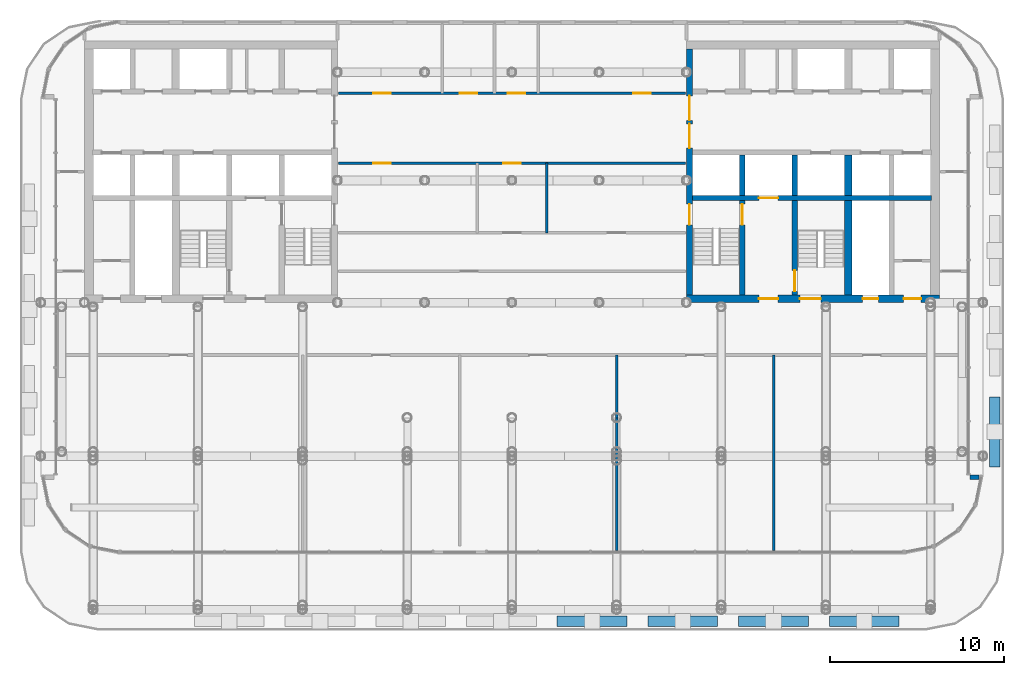
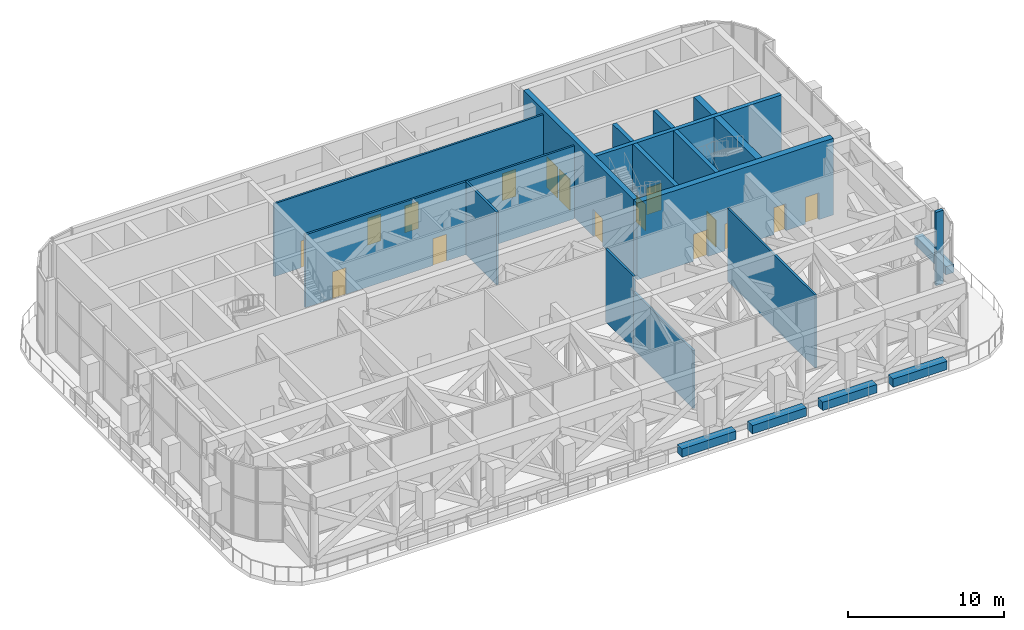
# One storey, part 13 of 20: 21 walls, 16 doors, 16 openings.
"""IFC4 building model written with IfcOpenShell, lengths in metres."""

from ifc_helpers import new_model, si_unit, direction, frame, frame_2d, origin, place, context, subcontext, project, spatial, rectangle, extrude, material, layer, layer_set, type_object, element, fill, save


model = new_model("IFC4")

# Units and contexts
model_context = context("Model", 3, precision=1e-05, world=origin(), true_north=direction((0.0, 1.0)))
body_context = subcontext(model_context, "Body", "Model", "MODEL_VIEW")
ifc_project = project(units=[si_unit("LENGTHUNIT", "METRE"), si_unit("AREAUNIT", "SQUARE_METRE"), si_unit("VOLUMEUNIT", "CUBIC_METRE"), si_unit("PLANEANGLEUNIT", "RADIAN"), si_unit("MASSUNIT", "GRAM", prefix="KILO")], contexts=[model_context])

# Site, building, storey
site_placement = place(None, origin())
site = spatial("IfcSite", under=ifc_project, at=site_placement, CompositionType="ELEMENT")
building_placement = place(site_placement, origin())
building = spatial("IfcBuilding", under=site, at=building_placement, Name="Torana Hotel and Residences", CompositionType="ELEMENT")
storey_placement = place(building_placement, frame((0.0, 0.0, 177.60009765625)))
storey = spatial("IfcBuildingStorey", under=building, at=storey_placement, Name="L46", CompositionType="ELEMENT", Elevation=177.60009765625)

# Wall, opening, door
ifc_material_1 = material(Name="Concrete C70/85", Category="concrete")
ifc_layer_1 = layer(ifc_material_1, 0.300048828125)
ifc_layer_set_1 = layer_set([ifc_layer_1], Name="CORE WALL 300 C70/85")
wall_type_1 = type_object("IfcWallType", Name="CORE WALL 300 C70/85", PredefinedType="SHEAR", material=ifc_layer_set_1)
wall_1_placement = place(storey_placement, frame((10.35009765625, -9.0, 0.0), z_axis=(0.0, 0.0, 1.0), x_axis=(1.0, 0.0, 0.0)))
wall_1 = element("IfcWall", 1, at=wall_1_placement, inside=storey, type_object=wall_type_1, Name="Core wall E band", PredefinedType="SHEAR", context=body_context, shape_type="SweptSolid", body=[
    extrude(rectangle(XDim=13.699951171875, YDim=0.300048828125, at=frame_2d((6.85009765625, 0.0))), origin(), (0.0, 0.0, 1.0), 6.0),
])
opening_1_placement = place(wall_1_placement, frame((3.800048828125, 0.0, 0.0)))
opening_1 = element("IfcOpeningElement", 2, at=opening_1_placement, cuts=wall_1, Name="Opening LD", PredefinedType="OPENING", context=body_context, shape_type="SweptSolid", body=[
    extrude(rectangle(XDim=1.10009765625, YDim=2.10009765625, at=frame_2d((0.550048828125, 1.050048828125))), frame((0.0, 0.159912109375, 0.0), z_axis=(0.0, -1.0, 0.0), x_axis=(1.0, 0.0, 0.0)), (0.0, 0.0, 1.0), 0.320068359375),
])
ifc_material_2 = material(Name="Stainless steel 316", Category="steel")
door_type_1 = type_object("IfcDoorType", Name="LIFT LANDING DOOR LD 1100x2100", OperationType="DOUBLE_DOOR_SLIDING", PredefinedType="USERDEFINED", material=ifc_material_2)
door_1_placement = place(opening_1_placement, origin())
door_1 = element("IfcDoor", 3, at=door_1_placement, inside=storey, type_object=door_type_1, Name="Lift landing door FF2 L46", ObjectType="LIFT LANDING DOOR", OperationType="DOUBLE_DOOR_SLIDING", OverallHeight=2.10009765625, OverallWidth=1.10009765625, PredefinedType="USERDEFINED", context=body_context, shape_type="SweptSolid", body=[
    extrude(rectangle(XDim=1.10009765625, YDim=2.10009765625, at=frame_2d((0.550048828125, 1.050048828125))), frame((0.0, 0.02490234375, 0.0), z_axis=(0.0, -1.0, 0.0), x_axis=(1.0, 0.0, 0.0)), (0.0, 0.0, 1.0), 0.050048828125),
])
fill(opening_1, door_1)

# Wall
wall_2_placement = place(storey_placement, frame((13.199951171875, -8.85009765625, 0.0), z_axis=(0.0, 0.0, 1.0), x_axis=(0.0, 1.0, 0.0)))
element("IfcWall", 4, at=wall_2_placement, inside=storey, type_object=wall_type_1, Name="Core wall E x3.05-S", PredefinedType="SHEAR", context=body_context, shape_type="SweptSolid", body=[
    extrude(rectangle(XDim=2.300048828125, YDim=0.300048828125, at=frame_2d((1.14990234375, 0.0))), origin(), (0.0, 0.0, 1.0), 6.0),
])

# Wall, opening, door
wall_3_placement = place(storey_placement, frame((13.199951171875, -14.550048828125, 0.0), z_axis=(0.0, 0.0, 1.0), x_axis=(0.0, 1.0, 0.0)))
wall_3 = element("IfcWall", 5, at=wall_3_placement, inside=storey, type_object=wall_type_1, Name="Core wall E x3.05-band", PredefinedType="SHEAR", context=body_context, shape_type="SweptSolid", body=[
    extrude(rectangle(XDim=5.400146484375, YDim=0.300048828125, at=frame_2d((2.7001953125, 0.0))), origin(), (0.0, 0.0, 1.0), 6.0),
])
opening_2_placement = place(wall_3_placement, frame((4.0, 0.0, 0.0)))
opening_2 = element("IfcOpeningElement", 6, at=opening_2_placement, cuts=wall_3, Name="Opening L46-27", PredefinedType="OPENING", context=body_context, shape_type="SweptSolid", body=[
    extrude(rectangle(XDim=1.199951171875, YDim=2.10009765625, at=frame_2d((0.60009765625, 1.050048828125))), frame((0.0, 0.159912109375, 0.0), z_axis=(0.0, -1.0, 0.0), x_axis=(1.0, 0.0, 0.0)), (0.0, 0.0, 1.0), 0.320068359375),
])
ifc_material_3 = material(Name="Steel S235", Category="steel")
door_type_2 = type_object("IfcDoorType", Name="STAIR FIRE DOOR D3 1200x2100", OperationType="SINGLE_SWING_LEFT", PredefinedType="DOOR", material=ifc_material_3)
door_2_placement = place(opening_2_placement, origin())
door_2 = element("IfcDoor", 7, at=door_2_placement, inside=storey, type_object=door_type_2, Name="Stair-A-lobby door L46", OperationType="SINGLE_SWING_LEFT", OverallHeight=2.10009765625, OverallWidth=1.199951171875, PredefinedType="DOOR", context=body_context, shape_type="SweptSolid", body=[
    extrude(rectangle(XDim=1.199951171875, YDim=2.10009765625, at=frame_2d((0.60009765625, 1.050048828125))), frame((0.0, 0.02490234375, 0.0), z_axis=(0.0, -1.0, 0.0), x_axis=(1.0, 0.0, 0.0)), (0.0, 0.0, 1.0), 0.050048828125),
])
fill(opening_2, door_2)

# Wall
wall_4_placement = place(storey_placement, frame((16.199951171875, -8.85009765625, 0.0), z_axis=(0.0, 0.0, 1.0), x_axis=(0.0, 1.0, 0.0)))
element("IfcWall", 8, at=wall_4_placement, inside=storey, type_object=wall_type_1, Name="Core wall E x6.05-S", PredefinedType="SHEAR", context=body_context, shape_type="SweptSolid", body=[
    extrude(rectangle(XDim=2.300048828125, YDim=0.300048828125, at=frame_2d((1.14990234375, 0.0))), origin(), (0.0, 0.0, 1.0), 6.0),
])

# Wall, opening, door
wall_5_placement = place(storey_placement, frame((16.199951171875, -14.550048828125, 0.0), z_axis=(0.0, 0.0, 1.0), x_axis=(0.0, 1.0, 0.0)))
wall_5 = element("IfcWall", 9, at=wall_5_placement, inside=storey, type_object=wall_type_1, Name="Core wall E x6.05-band", PredefinedType="SHEAR", context=body_context, shape_type="SweptSolid", body=[
    extrude(rectangle(XDim=5.400146484375, YDim=0.300048828125, at=frame_2d((2.7001953125, 0.0))), origin(), (0.0, 0.0, 1.0), 6.0),
])
opening_3_placement = place(wall_5_placement, frame((0.199951171875, 0.0, 0.0)))
opening_3 = element("IfcOpeningElement", 10, at=opening_3_placement, cuts=wall_5, Name="Opening L46-28", PredefinedType="OPENING", context=body_context, shape_type="SweptSolid", body=[
    extrude(rectangle(XDim=1.199951171875, YDim=2.10009765625, at=frame_2d((0.60009765625, 1.050048828125))), frame((0.0, 0.159912109375, 0.0), z_axis=(0.0, -1.0, 0.0), x_axis=(1.0, 0.0, 0.0)), (0.0, 0.0, 1.0), 0.320068359375),
])
door_3_placement = place(opening_3_placement, frame((0.60009765625, 0.0, 0.0), z_axis=(0.0, 0.0, 1.0), x_axis=(-1.0, 0.0, 0.0)))
door_3 = element("IfcDoor", 11, at=door_3_placement, inside=storey, type_object=door_type_2, Name="Stair-B-lobby door L46", OperationType="SINGLE_SWING_LEFT", OverallHeight=2.10009765625, OverallWidth=1.199951171875, PredefinedType="DOOR", context=body_context, shape_type="SweptSolid", body=[
    extrude(rectangle(XDim=1.199951171875, YDim=2.10009765625, at=frame_2d((0.0, 1.050048828125))), frame((0.0, -0.02490234375, 0.0), z_axis=(0.0, 1.0, 0.0), x_axis=(-1.0, 0.0, 0.0)), (0.0, 0.0, 1.0), 0.050048828125),
])
fill(opening_3, door_3)

# Wall, openings, doors
ifc_material_4 = material(Name="Concrete C70/85", Category="concrete")
ifc_layer_2 = layer(ifc_material_4, 0.35009765625)
ifc_layer_set_2 = layer_set([ifc_layer_2], Name="CORE WALL 350 C70/85")
wall_type_2 = type_object("IfcWallType", Name="CORE WALL 350 C70/85", PredefinedType="SHEAR", material=ifc_layer_set_2)
wall_6_placement = place(storey_placement, frame((10.175048828125, -14.550048828125, 0.0), z_axis=(0.0, 0.0, 1.0), x_axis=(0.0, 1.0, 0.0)))
wall_6 = element("IfcWall", 12, at=wall_6_placement, inside=storey, type_object=wall_type_2, Name="Core wall E arch", PredefinedType="SHEAR", context=body_context, shape_type="SweptSolid", body=[
    extrude(rectangle(XDim=14.10009765625, YDim=0.35009765625, at=frame_2d((7.050048828125, 0.0))), origin(), (0.0, 0.0, 1.0), 6.0),
])
opening_4_placement = place(wall_6_placement, frame((8.39990234375, 0.0, 0.0)))
opening_4 = element("IfcOpeningElement", 13, at=opening_4_placement, cuts=wall_6, Name="Opening L46-15", PredefinedType="OPENING", context=body_context, shape_type="SweptSolid", body=[
    extrude(rectangle(XDim=1.39990234375, YDim=2.39990234375, at=frame_2d((0.699951171875, 1.199951171875))), frame((0.0, 0.18505859375, 0.0), z_axis=(0.0, -1.0, 0.0), x_axis=(1.0, 0.0, 0.0)), (0.0, 0.0, 1.0), 0.3701171875),
])
opening_5_placement = place(wall_6_placement, frame((10.0, 0.0, 0.0)))
opening_5 = element("IfcOpeningElement", 14, at=opening_5_placement, cuts=wall_6, Name="Opening L46-16", PredefinedType="OPENING", context=body_context, shape_type="SweptSolid", body=[
    extrude(rectangle(XDim=1.39990234375, YDim=2.39990234375, at=frame_2d((0.699951171875, 1.199951171875))), frame((0.0, 0.18505859375, 0.0), z_axis=(0.0, -1.0, 0.0), x_axis=(1.0, 0.0, 0.0)), (0.0, 0.0, 1.0), 0.3701171875),
])
opening_6_placement = place(wall_6_placement, frame((4.0, 0.0, 0.0)))
opening_6 = element("IfcOpeningElement", 15, at=opening_6_placement, cuts=wall_6, Name="Opening L46-17", PredefinedType="OPENING", context=body_context, shape_type="SweptSolid", body=[
    extrude(rectangle(XDim=1.199951171875, YDim=2.10009765625, at=frame_2d((0.60009765625, 1.050048828125))), frame((0.0, 0.18505859375, 0.0), z_axis=(0.0, -1.0, 0.0), x_axis=(1.0, 0.0, 0.0)), (0.0, 0.0, 1.0), 0.3701171875),
])
ifc_material_5 = material(Name="Steel S235", Category="steel")
door_type_3 = type_object("IfcDoorType", Name="LOBBY FIRE DOOR D4 1400x2400", OperationType="DOUBLE_DOOR_SINGLE_SWING", PredefinedType="DOOR", material=ifc_material_5)
door_4_placement = place(opening_4_placement, origin())
door_4 = element("IfcDoor", 16, at=door_4_placement, inside=storey, type_object=door_type_3, Name="Lobby-1 door L46", OperationType="DOUBLE_DOOR_SINGLE_SWING", OverallHeight=2.39990234375, OverallWidth=1.39990234375, PredefinedType="DOOR", context=body_context, shape_type="SweptSolid", body=[
    extrude(rectangle(XDim=1.39990234375, YDim=2.39990234375, at=frame_2d((0.699951171875, 1.199951171875))), frame((0.0, 0.02490234375, 0.0), z_axis=(0.0, -1.0, 0.0), x_axis=(1.0, 0.0, 0.0)), (0.0, 0.0, 1.0), 0.050048828125),
])
fill(opening_4, door_4)
door_5_placement = place(opening_5_placement, origin())
door_5 = element("IfcDoor", 17, at=door_5_placement, inside=storey, type_object=door_type_3, Name="Lobby-2 door L46", OperationType="DOUBLE_DOOR_SINGLE_SWING", OverallHeight=2.39990234375, OverallWidth=1.39990234375, PredefinedType="DOOR", context=body_context, shape_type="SweptSolid", body=[
    extrude(rectangle(XDim=1.39990234375, YDim=2.39990234375, at=frame_2d((0.699951171875, 1.199951171875))), frame((0.0, 0.02490234375, 0.0), z_axis=(0.0, -1.0, 0.0), x_axis=(1.0, 0.0, 0.0)), (0.0, 0.0, 1.0), 0.050048828125),
])
fill(opening_5, door_5)
door_6_placement = place(opening_6_placement, frame((0.60009765625, 0.0, 0.0), z_axis=(0.0, 0.0, 1.0), x_axis=(-1.0, 0.0, 0.0)))
door_6 = element("IfcDoor", 18, at=door_6_placement, inside=storey, type_object=door_type_2, Name="Stair-A door L46", OperationType="SINGLE_SWING_RIGHT", OverallHeight=2.10009765625, OverallWidth=1.199951171875, PredefinedType="DOOR", context=body_context, shape_type="SweptSolid", body=[
    extrude(rectangle(XDim=1.199951171875, YDim=2.10009765625, at=frame_2d((0.0, 1.050048828125))), frame((0.0, -0.02490234375, 0.0), z_axis=(0.0, 1.0, 0.0), x_axis=(-1.0, 0.0, 0.0)), (0.0, 0.0, 1.0), 0.050048828125),
])
fill(opening_6, door_6)

ifc_material_6 = material(Name="Concrete C70/85", Category="concrete")
ifc_layer_3 = layer(ifc_material_6, 0.449951171875)
ifc_layer_set_3 = layer_set([ifc_layer_3], Name="CORE WALL 450 C70/85")
wall_type_3 = type_object("IfcWallType", Name="CORE WALL 450 C70/85", PredefinedType="SHEAR", material=ifc_layer_set_3)
wall_7_placement = place(storey_placement, frame((10.0, -14.77490234375, 0.0), z_axis=(0.0, 0.0, 1.0), x_axis=(1.0, 0.0, 0.0)))
wall_7 = element("IfcWall", 19, at=wall_7_placement, inside=storey, type_object=wall_type_3, Name="Core wall E front", PredefinedType="SHEAR", context=body_context, shape_type="SweptSolid", body=[
    extrude(rectangle(XDim=14.5, YDim=0.449951171875, at=frame_2d((7.25, 0.0))), origin(), (0.0, 0.0, 1.0), 6.0),
])
opening_7_placement = place(wall_7_placement, frame((6.5, 0.0, 0.0)))
opening_7 = element("IfcOpeningElement", 20, at=opening_7_placement, cuts=wall_7, Name="Opening L46-18", PredefinedType="OPENING", context=body_context, shape_type="SweptSolid", body=[
    extrude(rectangle(XDim=1.199951171875, YDim=2.10009765625, at=frame_2d((0.60009765625, 1.050048828125))), frame((0.0, 0.23486328125, 0.0), z_axis=(0.0, -1.0, 0.0), x_axis=(1.0, 0.0, 0.0)), (0.0, 0.0, 1.0), 0.469970703125),
])
opening_8_placement = place(wall_7_placement, frame((4.14990234375, 0.0, 0.0)))
opening_8 = element("IfcOpeningElement", 21, at=opening_8_placement, cuts=wall_7, Name="Opening L46-19", PredefinedType="OPENING", context=body_context, shape_type="SweptSolid", body=[
    extrude(rectangle(XDim=1.10009765625, YDim=2.10009765625, at=frame_2d((0.550048828125, 1.050048828125))), frame((0.0, 0.23486328125, 0.0), z_axis=(0.0, -1.0, 0.0), x_axis=(1.0, 0.0, 0.0)), (0.0, 0.0, 1.0), 0.469970703125),
])
opening_9_placement = place(wall_7_placement, frame((10.10009765625, 0.0, 0.0)))
opening_9 = element("IfcOpeningElement", 22, at=opening_9_placement, cuts=wall_7, Name="Opening L46-20", PredefinedType="OPENING", context=body_context, shape_type="SweptSolid", body=[
    extrude(rectangle(XDim=0.89990234375, YDim=2.10009765625, at=frame_2d((0.449951171875, 1.050048828125))), frame((0.0, 0.23486328125, 0.0), z_axis=(0.0, -1.0, 0.0), x_axis=(1.0, 0.0, 0.0)), (0.0, 0.0, 1.0), 0.469970703125),
])
opening_10_placement = place(wall_7_placement, frame((12.449951171875, 0.0, 0.0)))
opening_10 = element("IfcOpeningElement", 23, at=opening_10_placement, cuts=wall_7, Name="Opening L46-21", PredefinedType="OPENING", context=body_context, shape_type="SweptSolid", body=[
    extrude(rectangle(XDim=1.0, YDim=2.10009765625, at=frame_2d((0.5, 1.050048828125))), frame((0.0, 0.23486328125, 0.0), z_axis=(0.0, -1.0, 0.0), x_axis=(1.0, 0.0, 0.0)), (0.0, 0.0, 1.0), 0.469970703125),
])
ifc_material_7 = material(Name="Steel S235", Category="steel")
door_type_4 = type_object("IfcDoorType", Name="CORE ROOM FIRE DOOR D14 1000x2100", OperationType="SINGLE_SWING_LEFT", PredefinedType="DOOR", material=ifc_material_7)
door_7_placement = place(opening_10_placement, origin())
door_7 = element("IfcDoor", 24, at=door_7_placement, inside=storey, type_object=door_type_4, Name="M-Room-B door L46", OperationType="SINGLE_SWING_RIGHT", OverallHeight=2.10009765625, OverallWidth=1.0, PredefinedType="DOOR", context=body_context, shape_type="SweptSolid", body=[
    extrude(rectangle(XDim=1.0, YDim=2.10009765625, at=frame_2d((0.5, 1.050048828125))), frame((0.0, 0.02490234375, 0.0), z_axis=(0.0, -1.0, 0.0), x_axis=(1.0, 0.0, 0.0)), (0.0, 0.0, 1.0), 0.050048828125),
])
fill(opening_10, door_7)
ifc_material_8 = material(Name="Steel S235", Category="steel")
door_type_5 = type_object("IfcDoorType", Name="FIRE-FIGHTING LOBBY DOOR D8 1100x2100", OperationType="SINGLE_SWING_LEFT", PredefinedType="DOOR", material=ifc_material_8)
door_8_placement = place(opening_8_placement, origin())
door_8 = element("IfcDoor", 25, at=door_8_placement, inside=storey, type_object=door_type_5, Name="FF-lobby door L46", OperationType="SINGLE_SWING_RIGHT", OverallHeight=2.10009765625, OverallWidth=1.10009765625, PredefinedType="DOOR", context=body_context, shape_type="SweptSolid", body=[
    extrude(rectangle(XDim=1.10009765625, YDim=2.10009765625, at=frame_2d((0.550048828125, 1.050048828125))), frame((0.0, 0.02490234375, 0.0), z_axis=(0.0, -1.0, 0.0), x_axis=(1.0, 0.0, 0.0)), (0.0, 0.0, 1.0), 0.050048828125),
])
fill(opening_8, door_8)
ifc_material_9 = material(Name="Steel S235", Category="steel")
door_type_6 = type_object("IfcDoorType", Name="RISER ACCESS DOOR D5 900x2100", OperationType="SINGLE_SWING_LEFT", PredefinedType="DOOR", material=ifc_material_9)
door_9_placement = place(opening_9_placement, origin())
door_9 = element("IfcDoor", 26, at=door_9_placement, inside=storey, type_object=door_type_6, Name="M-Riser door L46", OperationType="SINGLE_SWING_RIGHT", OverallHeight=2.10009765625, OverallWidth=0.89990234375, PredefinedType="DOOR", context=body_context, shape_type="SweptSolid", body=[
    extrude(rectangle(XDim=0.89990234375, YDim=2.10009765625, at=frame_2d((0.449951171875, 1.050048828125))), frame((0.0, 0.02490234375, 0.0), z_axis=(0.0, -1.0, 0.0), x_axis=(1.0, 0.0, 0.0)), (0.0, 0.0, 1.0), 0.050048828125),
])
fill(opening_9, door_9)
door_10_placement = place(opening_7_placement, origin())
door_10 = element("IfcDoor", 27, at=door_10_placement, inside=storey, type_object=door_type_2, Name="Stair-B door L46", OperationType="SINGLE_SWING_RIGHT", OverallHeight=2.10009765625, OverallWidth=1.199951171875, PredefinedType="DOOR", context=body_context, shape_type="SweptSolid", body=[
    extrude(rectangle(XDim=1.199951171875, YDim=2.10009765625, at=frame_2d((0.60009765625, 1.050048828125))), frame((0.0, 0.02490234375, 0.0), z_axis=(0.0, -1.0, 0.0), x_axis=(1.0, 0.0, 0.0)), (0.0, 0.0, 1.0), 0.050048828125),
])
fill(opening_7, door_10)

# Walls
wall_8_placement = place(storey_placement, frame((19.27490234375, -8.85009765625, 0.0), z_axis=(0.0, 0.0, 1.0), x_axis=(0.0, 1.0, 0.0)))
element("IfcWall", 28, at=wall_8_placement, inside=storey, type_object=wall_type_3, Name="Core wall E hm-S", PredefinedType="SHEAR", context=body_context, shape_type="SweptSolid", body=[
    extrude(rectangle(XDim=2.300048828125, YDim=0.449951171875, at=frame_2d((1.14990234375, 0.0))), origin(), (0.0, 0.0, 1.0), 6.0),
])
wall_9_placement = place(storey_placement, frame((19.27490234375, -14.550048828125, 0.0), z_axis=(0.0, 0.0, 1.0), x_axis=(0.0, 1.0, 0.0)))
element("IfcWall", 29, at=wall_9_placement, inside=storey, type_object=wall_type_3, Name="Core wall E hm-band", PredefinedType="SHEAR", context=body_context, shape_type="SweptSolid", body=[
    extrude(rectangle(XDim=5.400146484375, YDim=0.449951171875, at=frame_2d((2.7001953125, 0.0))), origin(), (0.0, 0.0, 1.0), 6.0),
])
ifc_material_10 = material(Name="Black aluminium composite panel", Category="aluminium")
ifc_layer_4 = layer(ifc_material_10, 0.00390625, Name="Cladding", Category="cladding")
ifc_material_11 = material(Name="Ventilated air cavity")
ifc_layer_5 = layer(ifc_material_11, 0.0400390625, Name="Ventilated cavity", Category="cavity")
ifc_material_12 = material(Name="Mineral wool insulation")
ifc_layer_6 = layer(ifc_material_12, 0.090087890625, Name="Insulation", Category="insulation")
ifc_material_13 = material(Name="Steel S280GD", Category="steel")
ifc_layer_7 = layer(ifc_material_13, 0.092041015625, Name="Steel stud frame", Category="structure")
ifc_material_14 = material(Name="Fire rated plasterboard")
ifc_layer_8 = layer(ifc_material_14, 0.011962890625, Name="Inner board", Category="finish")
ifc_layer_9 = layer(ifc_material_14, 0.011962890625, Name="Second board", Category="finish")
ifc_layer_set_4 = layer_set([ifc_layer_4, ifc_layer_5, ifc_layer_6, ifc_layer_7, ifc_layer_8, ifc_layer_9], Name="EW1 EXTERNAL WALL BLACK METAL CLAD 250")
wall_type_4 = type_object("IfcWallType", Name="EW1 EXTERNAL WALL BLACK METAL CLAD 250", PredefinedType="SOLIDWALL", material=ifc_layer_set_4)
wall_10_placement = place(storey_placement, frame((26.2548828125, -25.00048828125, 0.0), z_axis=(0.0, 0.0, 1.0), x_axis=(1.0, 0.0, 0.0)))
element("IfcWall", 30, at=wall_10_placement, inside=storey, type_object=wall_type_4, Name="External wall L46 e0.19 return 1", PredefinedType="SOLIDWALL", context=body_context, shape_type="SweptSolid", body=[
    extrude(rectangle(XDim=0.525146484375, YDim=0.25, at=frame_2d((0.2626953125, 0.0))), origin(), (0.0, 0.0, 1.0), 5.719970703125),
])
ifc_material_15 = material(Name="Gypsum plaster")
ifc_layer_10 = layer(ifc_material_15, 0.014892578125, Name="Plaster", Category="finish")
ifc_material_16 = material(Name="Concrete blockwork", Category="masonry")
ifc_layer_11 = layer(ifc_material_16, 0.1201171875, Name="Blockwork", Category="structure")
ifc_layer_12 = layer(ifc_material_15, 0.014892578125, Name="Plaster", Category="finish")
ifc_layer_set_5 = layer_set([ifc_layer_10, ifc_layer_11, ifc_layer_12], Name="FIRE PARTITION 150 BLOCKWORK")
wall_type_5 = type_object("IfcWallType", Name="FIRE PARTITION 150 BLOCKWORK", PredefinedType="PARTITIONING", material=ifc_layer_set_5)
wall_11_placement = place(storey_placement, frame((2.0, -11.0, 0.0), z_axis=(0.0, 0.0, 1.0), x_axis=(0.0, 1.0, 0.0)))
element("IfcWall", 31, at=wall_11_placement, inside=storey, type_object=wall_type_5, Name="Partition L46", PredefinedType="PARTITIONING", context=body_context, shape_type="SweptSolid", body=[
    extrude(rectangle(XDim=4.0, YDim=0.14990234375, at=frame_2d((2.0, 0.0))), origin(), (0.0, 0.0, 1.0), 5.699951171875),
])

# Wall, openings, doors
wall_12_placement = place(storey_placement, frame((-9.949951171875, -7.0, 0.0), z_axis=(0.0, 0.0, 1.0), x_axis=(1.0, 0.0, 0.0)))
wall_12 = element("IfcWall", 32, at=wall_12_placement, inside=storey, type_object=wall_type_5, Name="Partition L46", PredefinedType="PARTITIONING", context=body_context, shape_type="SweptSolid", body=[
    extrude(rectangle(XDim=19.89990234375, YDim=0.14990234375, at=frame_2d((9.949951171875, 0.0))), origin(), (0.0, 0.0, 1.0), 5.699951171875),
])
opening_11_placement = place(wall_12_placement, frame((9.449951171875, 0.0, 0.0)))
opening_11 = element("IfcOpeningElement", 33, at=opening_11_placement, cuts=wall_12, Name="Opening L46-41", PredefinedType="OPENING", context=body_context, shape_type="SweptSolid", body=[
    extrude(rectangle(XDim=1.0, YDim=2.10009765625, at=frame_2d((0.5, 1.050048828125))), frame((0.0, 0.0849609375, 0.0), z_axis=(0.0, -1.0, 0.0), x_axis=(1.0, 0.0, 0.0)), (0.0, 0.0, 1.0), 0.169921875),
])
opening_12_placement = place(wall_12_placement, frame((2.0, 0.0, 0.0)))
opening_12 = element("IfcOpeningElement", 34, at=opening_12_placement, cuts=wall_12, Name="Opening L46-42", PredefinedType="OPENING", context=body_context, shape_type="SweptSolid", body=[
    extrude(rectangle(XDim=1.0, YDim=2.10009765625, at=frame_2d((0.5, 1.050048828125))), frame((0.0, 0.0849609375, 0.0), z_axis=(0.0, -1.0, 0.0), x_axis=(1.0, 0.0, 0.0)), (0.0, 0.0, 1.0), 0.169921875),
])
ifc_material_17 = material(Name="Steel S235", Category="steel")
door_type_7 = type_object("IfcDoorType", Name="ENTRY FIRE DOOR D6 1000x2100", OperationType="SINGLE_SWING_LEFT", PredefinedType="DOOR", material=ifc_material_17)
door_11_placement = place(opening_11_placement, origin())
door_11 = element("IfcDoor", 35, at=door_11_placement, inside=storey, type_object=door_type_7, Name="Door L46", OperationType="SINGLE_SWING_RIGHT", OverallHeight=2.10009765625, OverallWidth=1.0, PredefinedType="DOOR", context=body_context, shape_type="SweptSolid", body=[
    extrude(rectangle(XDim=1.0, YDim=2.10009765625, at=frame_2d((0.5, 1.050048828125))), frame((0.0, 0.02490234375, 0.0), z_axis=(0.0, -1.0, 0.0), x_axis=(1.0, 0.0, 0.0)), (0.0, 0.0, 1.0), 0.050048828125),
])
fill(opening_11, door_11)
door_12_placement = place(opening_12_placement, frame((0.5, 0.0, 0.0), z_axis=(0.0, 0.0, 1.0), x_axis=(-1.0, 0.0, 0.0)))
door_12 = element("IfcDoor", 36, at=door_12_placement, inside=storey, type_object=door_type_7, Name="Door L46", OperationType="SINGLE_SWING_LEFT", OverallHeight=2.10009765625, OverallWidth=1.0, PredefinedType="DOOR", context=body_context, shape_type="SweptSolid", body=[
    extrude(rectangle(XDim=1.0, YDim=2.10009765625, at=frame_2d((0.0, 1.050048828125))), frame((0.0, -0.02490234375, 0.0), z_axis=(0.0, 1.0, 0.0), x_axis=(-1.0, 0.0, 0.0)), (0.0, 0.0, 1.0), 0.050048828125),
])
fill(opening_12, door_12)

wall_13_placement = place(storey_placement, frame((-9.949951171875, -3.0, 0.0), z_axis=(0.0, 0.0, 1.0), x_axis=(1.0, 0.0, 0.0)))
wall_13 = element("IfcWall", 37, at=wall_13_placement, inside=storey, type_object=wall_type_5, Name="Partition L46", PredefinedType="PARTITIONING", context=body_context, shape_type="SweptSolid", body=[
    extrude(rectangle(XDim=19.89990234375, YDim=0.14990234375, at=frame_2d((9.949951171875, 0.0))), origin(), (0.0, 0.0, 1.0), 5.699951171875),
])
opening_13_placement = place(wall_13_placement, frame((2.0, 0.0, 0.0)))
opening_13 = element("IfcOpeningElement", 38, at=opening_13_placement, cuts=wall_13, Name="Opening L46-43", PredefinedType="OPENING", context=body_context, shape_type="SweptSolid", body=[
    extrude(rectangle(XDim=1.0, YDim=2.10009765625, at=frame_2d((0.5, 1.050048828125))), frame((0.0, 0.0849609375, 0.0), z_axis=(0.0, -1.0, 0.0), x_axis=(1.0, 0.0, 0.0)), (0.0, 0.0, 1.0), 0.169921875),
])
opening_14_placement = place(wall_13_placement, frame((6.949951171875, 0.0, 0.0)))
opening_14 = element("IfcOpeningElement", 39, at=opening_14_placement, cuts=wall_13, Name="Opening L46-44", PredefinedType="OPENING", context=body_context, shape_type="SweptSolid", body=[
    extrude(rectangle(XDim=1.0, YDim=2.10009765625, at=frame_2d((0.5, 1.050048828125))), frame((0.0, 0.0849609375, 0.0), z_axis=(0.0, -1.0, 0.0), x_axis=(1.0, 0.0, 0.0)), (0.0, 0.0, 1.0), 0.169921875),
])
opening_15_placement = place(wall_13_placement, frame((9.699951171875, 0.0, 0.0)))
opening_15 = element("IfcOpeningElement", 40, at=opening_15_placement, cuts=wall_13, Name="Opening L46-45", PredefinedType="OPENING", context=body_context, shape_type="SweptSolid", body=[
    extrude(rectangle(XDim=1.0, YDim=2.10009765625, at=frame_2d((0.5, 1.050048828125))), frame((0.0, 0.0849609375, 0.0), z_axis=(0.0, -1.0, 0.0), x_axis=(1.0, 0.0, 0.0)), (0.0, 0.0, 1.0), 0.169921875),
])
opening_16_placement = place(wall_13_placement, frame((16.89990234375, 0.0, 0.0)))
opening_16 = element("IfcOpeningElement", 41, at=opening_16_placement, cuts=wall_13, Name="Opening L46-46", PredefinedType="OPENING", context=body_context, shape_type="SweptSolid", body=[
    extrude(rectangle(XDim=1.0, YDim=2.10009765625, at=frame_2d((0.5, 1.050048828125))), frame((0.0, 0.0849609375, 0.0), z_axis=(0.0, -1.0, 0.0), x_axis=(1.0, 0.0, 0.0)), (0.0, 0.0, 1.0), 0.169921875),
])
door_13_placement = place(opening_13_placement, origin())
door_13 = element("IfcDoor", 42, at=door_13_placement, inside=storey, type_object=door_type_7, Name="Door L46", OperationType="SINGLE_SWING_RIGHT", OverallHeight=2.10009765625, OverallWidth=1.0, PredefinedType="DOOR", context=body_context, shape_type="SweptSolid", body=[
    extrude(rectangle(XDim=1.0, YDim=2.10009765625, at=frame_2d((0.5, 1.050048828125))), frame((0.0, 0.02490234375, 0.0), z_axis=(0.0, -1.0, 0.0), x_axis=(1.0, 0.0, 0.0)), (0.0, 0.0, 1.0), 0.050048828125),
])
fill(opening_13, door_13)
door_14_placement = place(opening_14_placement, origin())
door_14 = element("IfcDoor", 43, at=door_14_placement, inside=storey, type_object=door_type_7, Name="Door L46", OperationType="SINGLE_SWING_RIGHT", OverallHeight=2.10009765625, OverallWidth=1.0, PredefinedType="DOOR", context=body_context, shape_type="SweptSolid", body=[
    extrude(rectangle(XDim=1.0, YDim=2.10009765625, at=frame_2d((0.5, 1.050048828125))), frame((0.0, 0.02490234375, 0.0), z_axis=(0.0, -1.0, 0.0), x_axis=(1.0, 0.0, 0.0)), (0.0, 0.0, 1.0), 0.050048828125),
])
fill(opening_14, door_14)
door_15_placement = place(opening_15_placement, origin())
door_15 = element("IfcDoor", 44, at=door_15_placement, inside=storey, type_object=door_type_7, Name="Door L46", OperationType="SINGLE_SWING_RIGHT", OverallHeight=2.10009765625, OverallWidth=1.0, PredefinedType="DOOR", context=body_context, shape_type="SweptSolid", body=[
    extrude(rectangle(XDim=1.0, YDim=2.10009765625, at=frame_2d((0.5, 1.050048828125))), frame((0.0, 0.02490234375, 0.0), z_axis=(0.0, -1.0, 0.0), x_axis=(1.0, 0.0, 0.0)), (0.0, 0.0, 1.0), 0.050048828125),
])
fill(opening_15, door_15)
door_16_placement = place(opening_16_placement, origin())
door_16 = element("IfcDoor", 45, at=door_16_placement, inside=storey, type_object=door_type_7, Name="Door L46", OperationType="SINGLE_SWING_RIGHT", OverallHeight=2.10009765625, OverallWidth=1.0, PredefinedType="DOOR", context=body_context, shape_type="SweptSolid", body=[
    extrude(rectangle(XDim=1.0, YDim=2.10009765625, at=frame_2d((0.5, 1.050048828125))), frame((0.0, 0.02490234375, 0.0), z_axis=(0.0, -1.0, 0.0), x_axis=(1.0, 0.0, 0.0)), (0.0, 0.0, 1.0), 0.050048828125),
])
fill(opening_16, door_16)

# Walls
ifc_material_18 = material(Name="Gypsum plasterboard")
ifc_layer_13 = layer(ifc_material_18, 0.012451171875, Name="Plasterboard", Category="finish")
ifc_layer_14 = layer(ifc_material_18, 0.012451171875, Name="Plasterboard", Category="finish")
ifc_layer_15 = layer(ifc_material_13, 0.10009765625, Name="Steel studs with mineral wool", Category="insulation")
ifc_layer_16 = layer(ifc_material_18, 0.012451171875, Name="Plasterboard", Category="finish")
ifc_layer_17 = layer(ifc_material_18, 0.012451171875, Name="Plasterboard", Category="finish")
ifc_layer_set_6 = layer_set([ifc_layer_13, ifc_layer_14, ifc_layer_15, ifc_layer_16, ifc_layer_17], Name="PARTITION 150 PLASTERBOARD")
wall_type_6 = type_object("IfcWallType", Name="PARTITION 150 PLASTERBOARD", PredefinedType="PARTITIONING", material=ifc_layer_set_6)
wall_14_placement = place(storey_placement, frame((15.0, -29.219970703125, 0.0), z_axis=(0.0, 0.0, 1.0), x_axis=(0.0, 1.0, 0.0)))
element("IfcWall", 46, at=wall_14_placement, inside=storey, type_object=wall_type_6, Name="Partition L46", PredefinedType="PARTITIONING", context=body_context, shape_type="SweptSolid", body=[
    extrude(rectangle(XDim=11.219970703125, YDim=0.14990234375, at=frame_2d((5.60986328125, 0.0))), origin(), (0.0, 0.0, 1.0), 5.699951171875),
])
wall_15_placement = place(storey_placement, frame((6.0, -29.219970703125, 0.0), z_axis=(0.0, 0.0, 1.0), x_axis=(0.0, 1.0, 0.0)))
element("IfcWall", 47, at=wall_15_placement, inside=storey, type_object=wall_type_6, Name="Partition L46", PredefinedType="PARTITIONING", context=body_context, shape_type="SweptSolid", body=[
    extrude(rectangle(XDim=7.619873046875, YDim=0.14990234375, at=frame_2d((3.81005859375, 0.0))), origin(), (0.0, 0.0, 1.0), 4.52001953125),
])
wall_16_placement = place(storey_placement, frame((6.0, -21.60009765625, 0.0), z_axis=(0.0, 0.0, 1.0), x_axis=(0.0, 1.0, 0.0)))
element("IfcWall", 48, at=wall_16_placement, inside=storey, type_object=wall_type_6, Name="Partition L46", PredefinedType="PARTITIONING", context=body_context, shape_type="SweptSolid", body=[
    extrude(rectangle(XDim=3.60009765625, YDim=0.14990234375, at=frame_2d((1.800048828125, 0.0))), origin(), (0.0, 0.0, 1.0), 5.699951171875),
])
ifc_material_19 = material(Name="Concrete C40/50 precast", Category="concrete")
ifc_layer_18 = layer(ifc_material_19, 0.10009765625, Name="Planter shell", Category="structure")
ifc_material_20 = material(Name="Root resistant membrane")
ifc_layer_19 = layer(ifc_material_20, 0.00390625, Name="Waterproofing membrane", Category="membrane")
ifc_material_21 = material(Name="Drainage board with filter fleece")
ifc_layer_20 = layer(ifc_material_21, 0.02001953125, Name="Drainage board", Category="drainage")
ifc_material_22 = material(Name="Growing medium")
ifc_layer_21 = layer(ifc_material_22, 0.47607421875, Name="Planting substrate", Category="soil")
ifc_layer_set_7 = layer_set([ifc_layer_18, ifc_layer_19, ifc_layer_20, ifc_layer_21], Name="PL1 BALCONY PLANTER 600")
wall_type_7 = type_object("IfcWallType", Name="PL1 BALCONY PLANTER 600", PredefinedType="USERDEFINED", material=ifc_layer_set_7)
for number, where, z_axis, x_axis, name in (
    (49, (27.669921875, -20.407958984375, 0.0), (0.0, 0.0, 1.0), (0.0, -1.0, 0.0), "Planter L46 1.4"),
    (50, (22.192138671875, -33.27001953125, 0.0), (0.0, 0.0, 1.0), (-1.0, 0.0, 0.0), "Planter L46 1.5"),
    (51, (16.9921875, -33.27001953125, 0.0), (0.0, 0.0, 1.0), (-1.0, 0.0, 0.0), "Planter L46 1.6"),
    (52, (11.7919921875, -33.27001953125, 0.0), (0.0, 0.0, 1.0), (-1.0, 0.0, 0.0), "Planter L46 1.7"),
    (53, (6.592041015625, -33.27001953125, 0.0), (0.0, 0.0, 1.0), (-1.0, 0.0, 0.0), "Planter L46 1.8"),
):
    element("IfcWall", number, at=place(storey_placement, frame(where, z_axis=z_axis, x_axis=x_axis)), inside=storey, type_object=wall_type_7, Name=name, ObjectType="PLANTER", PredefinedType="USERDEFINED", context=body_context, shape_type="SweptSolid", body=[
        extrude(rectangle(XDim=4.0, YDim=0.60009765625, at=frame_2d((2.0, 0.0))), origin(), (0.0, 0.0, 1.0), 0.64990234375),
    ])

save(model, "model.ifc")
